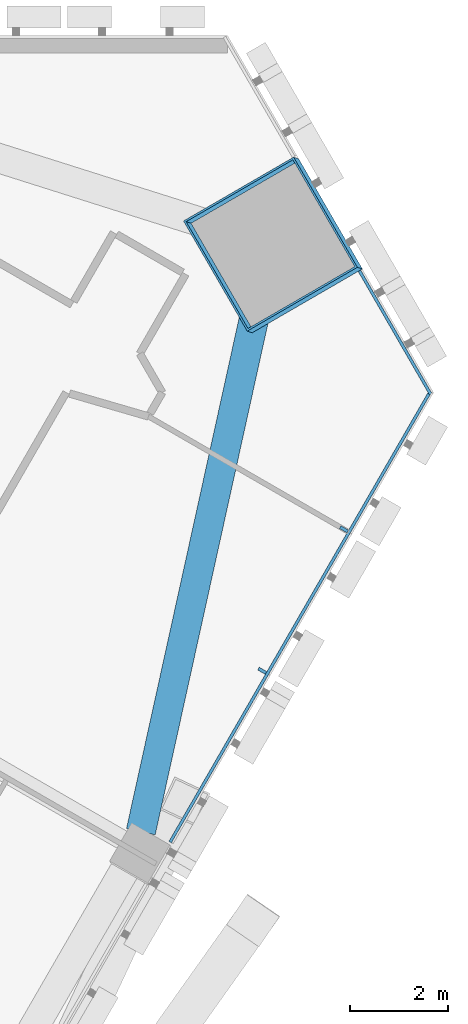
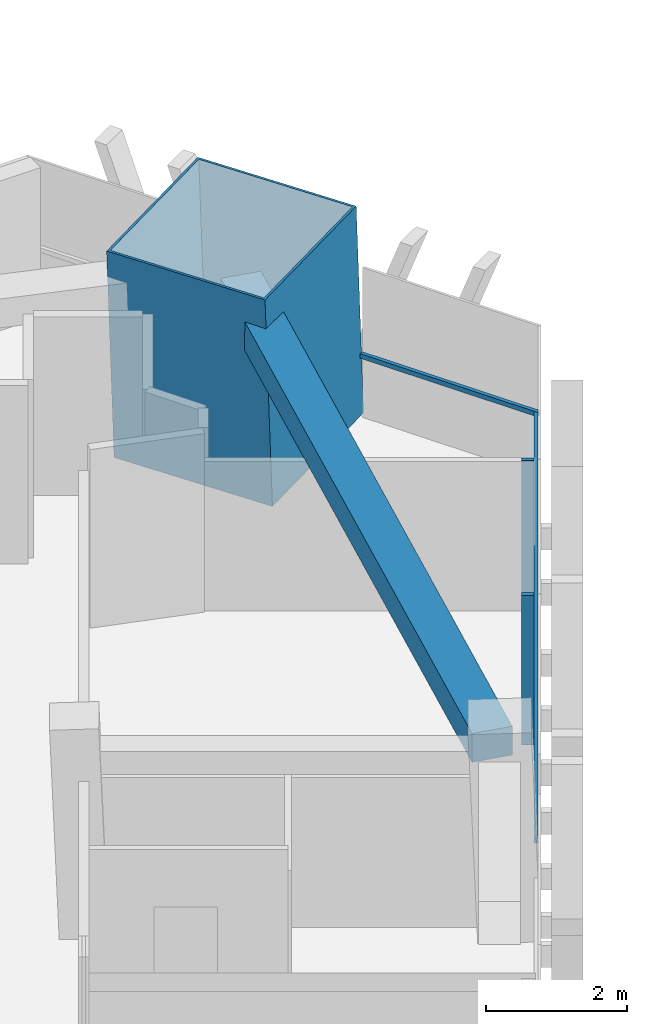
# One storey, part 14 of 23: 5 members, 1 beam, 2 elements without a shape of their own.
"""IFC4 building model written with IfcOpenShell, lengths in metres."""

from ifc_helpers import new_model, si_unit, direction, frame, origin, origin_2d, place, context, subcontext, project, spatial, rectangle, hollow_rectangle, extrude, material, layer, layer_set, material_profile, profile_set, type_object, element, aggregate, save


model = new_model("IFC4")

# Units and contexts
model_context = context("Model", 3, precision=1e-05, world=origin(), true_north=direction((0.0, 1.0)))
body_context = subcontext(model_context, "Body", "Model", "MODEL_VIEW")
ifc_project = project(units=[si_unit("LENGTHUNIT", "METRE"), si_unit("AREAUNIT", "SQUARE_METRE"), si_unit("VOLUMEUNIT", "CUBIC_METRE"), si_unit("PLANEANGLEUNIT", "RADIAN"), si_unit("MASSUNIT", "GRAM", prefix="KILO")], contexts=[model_context])

# Site, building, storey
site_placement = place(None, origin())
site = spatial("IfcSite", under=ifc_project, at=site_placement, CompositionType="ELEMENT")
building_placement = place(site_placement, origin())
building = spatial("IfcBuilding", under=site, at=building_placement, Name="Altiplano Prism Tower", CompositionType="ELEMENT")
storey_placement = place(building_placement, frame((0.0, 0.0, 100.800048828125)))
storey = spatial("IfcBuildingStorey", under=building, at=storey_placement, Name="L25", CompositionType="ELEMENT", Elevation=100.800048828125)

# Curtain wall, members
ifc_material_1 = material(Name="Aluminium and glass", Category="aluminium")
ifc_layer = layer(ifc_material_1, 0.280029296875)
ifc_layer_set = layer_set([ifc_layer], Name="Aluminium and glass")
curtain_wall_type = type_object("IfcCurtainWallType", Name="CW1 typical co-living unitised curtain wall", PredefinedType="NOTDEFINED", material=ifc_layer_set)
curtain_wall_1_placement = place(storey_placement, origin())
curtain_wall_1 = element("IfcCurtainWall", 1, at=curtain_wall_1_placement, inside=storey, type_object=curtain_wall_type, Name="CW1 curtain wall south-east face L25", PredefinedType="NOTDEFINED")
ifc_material_2 = material(Name="Aluminium", Category="aluminium")
ifc_material_profile_1 = material_profile(ifc_material_2, rectangle(XDim=0.179931640625, YDim=0.06494140625, at=origin_2d()), Name="CW1 mullion 65 x 180")
ifc_profile_set_1 = profile_set([ifc_material_profile_1], Name="Aluminium")
member_type_1 = type_object("IfcMemberType", Name="CW1 mullion 65 x 180", PredefinedType="MULLION", material=ifc_profile_set_1)
member_1_placement = place(storey_placement, frame((110.382080078125, 92.023681640625, 0.0), z_axis=(0.0, 0.0, 1.0), x_axis=(-0.866025402825, 0.500000001663, 0.0)))
member_1 = element("IfcMember", 2, at=member_1_placement, type_object=member_type_1, Name="CW1 mullion", PredefinedType="MULLION", context=body_context, shape_type="SweptSolid", body=[
    extrude(rectangle(XDim=0.179931640625, YDim=0.06494140625, at=origin_2d()), origin(), (0.0, 0.0, 1.0), 2.599853515625),
])
member_2_placement = place(storey_placement, frame((112.050048828125, 94.912353515625, 0.0), z_axis=(0.0, 0.0, 1.0), x_axis=(-0.866025402825, 0.500000001663, 0.0)))
member_2 = element("IfcMember", 3, at=member_2_placement, type_object=member_type_1, Name="CW1 mullion", PredefinedType="MULLION", context=body_context, shape_type="SweptSolid", body=[
    extrude(rectangle(XDim=0.179931640625, YDim=0.06494140625, at=origin_2d()), origin(), (0.0, 0.0, 1.0), 2.599853515625),
])
ifc_material_profile_2 = material_profile(ifc_material_2, rectangle(XDim=0.06005859375, YDim=0.080078125, at=origin_2d()), Name="CW1 transom 80 x 60")
ifc_profile_set_2 = profile_set([ifc_material_profile_2], Name="Aluminium")
member_type_2 = type_object("IfcMemberType", Name="CW1 transom 80 x 60", PredefinedType="USERDEFINED", material=ifc_profile_set_2)
member_3_placement = place(storey_placement, frame((108.5009765625, 88.525146484375, 1.099853515625), z_axis=(0.499993198119, 0.866029330816, 0.0), x_axis=(-0.866029330816, 0.499993198119, 0.0)))
member_3 = element("IfcMember", 4, at=member_3_placement, type_object=member_type_2, Name="CW1 transom", ObjectType="TRANSOM", PredefinedType="USERDEFINED", context=body_context, shape_type="SweptSolid", body=[
    extrude(rectangle(XDim=0.06005859375, YDim=0.080078125, at=origin_2d()), origin(), (0.0, 0.0, 1.0), 10.641845703125),
])
aggregate(curtain_wall_1, [member_1, member_2, member_3])

# Curtain wall, member
curtain_wall_2_placement = place(storey_placement, origin())
curtain_wall_2 = element("IfcCurtainWall", 5, at=curtain_wall_2_placement, inside=storey, type_object=curtain_wall_type, Name="CW1 curtain wall north-east chamfer L25", PredefinedType="NOTDEFINED")
member_4_placement = place(storey_placement, frame((113.82177734375, 97.671142578125, 1.099853515625), z_axis=(-0.499981368203, 0.86603616059, 0.0), x_axis=(-0.86603616059, -0.499981368203, 0.0)))
member_4 = element("IfcMember", 6, at=member_4_placement, type_object=member_type_2, Name="CW1 transom", ObjectType="TRANSOM", PredefinedType="USERDEFINED", context=body_context, shape_type="SweptSolid", body=[
    extrude(rectangle(XDim=0.06005859375, YDim=0.080078125, at=origin_2d()), origin(), (0.0, 0.0, 1.0), 2.9111328125),
])
aggregate(curtain_wall_2, [member_4])

# Beam
ifc_material_3 = material(Name="Concrete C60/75", Category="concrete")
ifc_material_profile_3 = material_profile(ifc_material_3, rectangle(XDim=0.60009765625, YDim=0.5, at=origin_2d()), Name="Edge beam 600x500")
ifc_profile_set_3 = profile_set([ifc_material_profile_3], Name="Concrete C60/75")
beam_type = type_object("IfcBeamType", Name="Edge beam 600x500", PredefinedType="SPANDREL", material=ifc_profile_set_3)
beam_placement = place(storey_placement, frame((107.90283203125, 88.73876953125, 2.849853515625), z_axis=(0.215364241874, 0.976533790159, 0.0), x_axis=(-0.976533790159, 0.215364241874, 0.0)))
element("IfcBeam", 7, at=beam_placement, inside=storey, type_object=beam_type, Name="Edge beam P24-M2 L26", PredefinedType="SPANDREL", context=body_context, shape_type="SweptSolid", body=[
    extrude(rectangle(XDim=0.60009765625, YDim=0.5, at=origin_2d()), origin(), (0.0, 0.0, 1.0), 11.836181640625),
])

# Member
ifc_material_4 = material(Name="Steel S460", Category="steel")
ifc_material_profile_4 = material_profile(ifc_material_4, hollow_rectangle(XDim=2.60009765625, YDim=2.60009765625, WallThickness=0.0400390625, at=origin_2d()), Name="Mega column tube 2600")
ifc_profile_set_4 = profile_set([ifc_material_profile_4], Name="Steel S460")
member_type_3 = type_object("IfcMemberType", Name="Mega column tube 2600", PredefinedType="POST", material=ifc_profile_set_4)
member_5_placement = place(storey_placement, frame((110.651123046875, 100.703125, 0.0), z_axis=(-0.028403739082, 0.009219352065, 0.999554016126), x_axis=(0.500757442821, -0.865302642417, 0.022210819119)))
element("IfcMember", 8, at=member_5_placement, inside=storey, type_object=member_type_3, Name="Mega column tube M2 L25", PredefinedType="POST", context=body_context, shape_type="SweptSolid", body=[
    extrude(hollow_rectangle(XDim=2.60009765625, YDim=2.60009765625, WallThickness=0.0400390625, at=origin_2d()), origin(), (0.0, 0.0, 1.0), 3.6015625),
])

save(model, "model.ifc")
